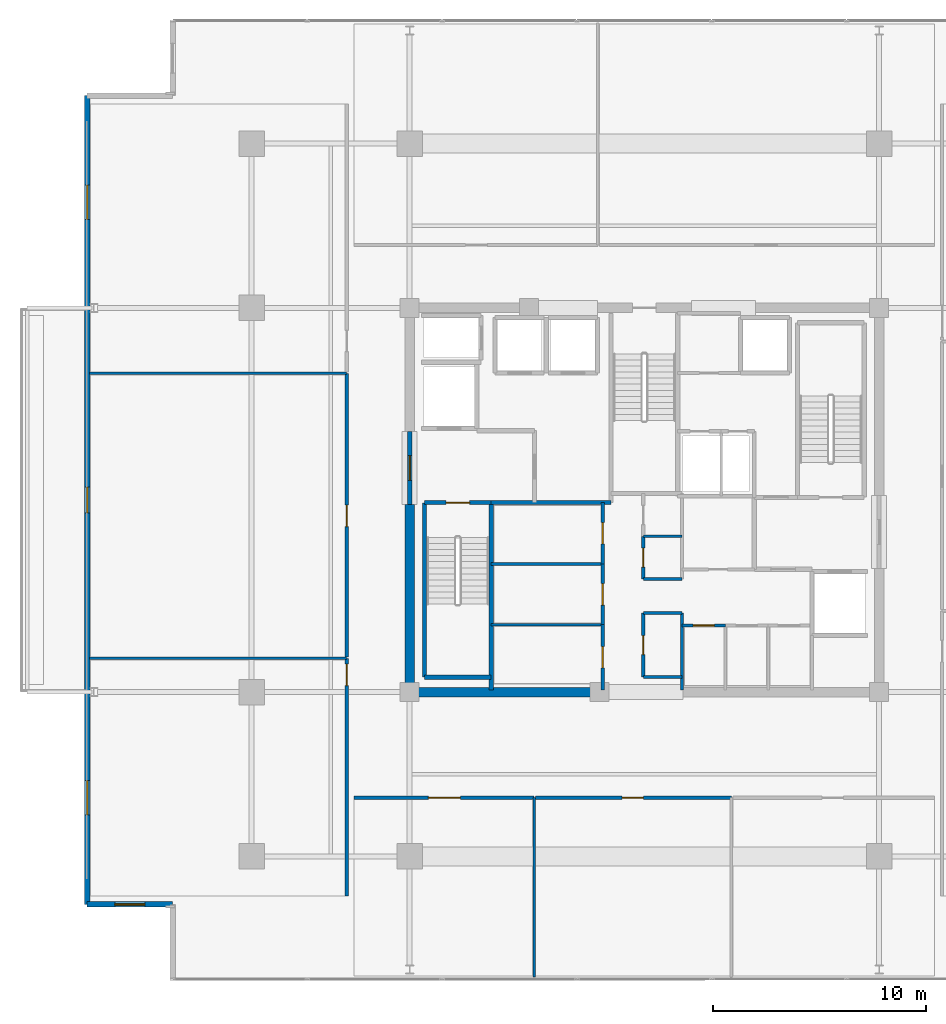
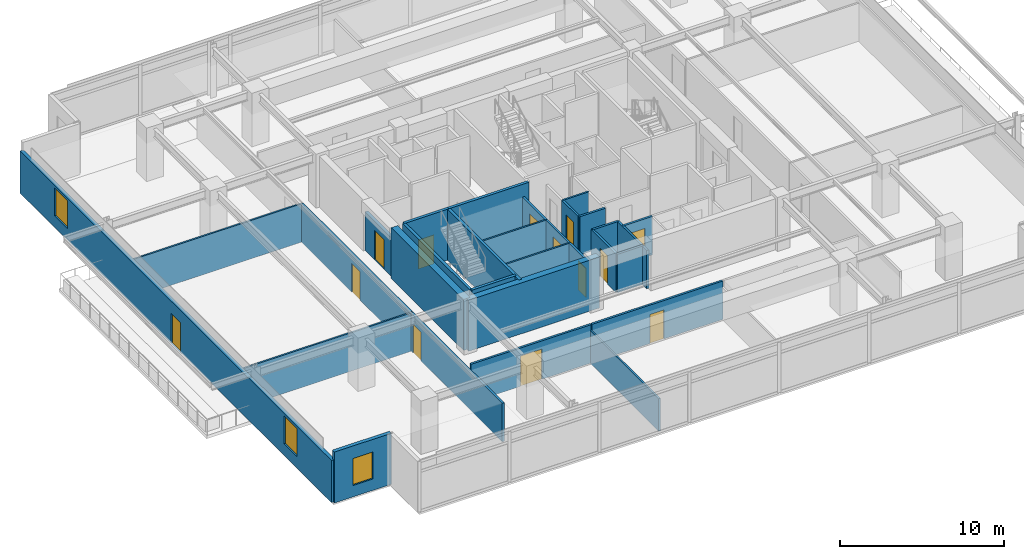
# One storey, part 17 of 24: 30 walls, 13 doors, 3 windows, 16 openings.
"""IFC4 building model written with IfcOpenShell, lengths in metres."""

from ifc_helpers import new_model, si_unit, direction, frame, frame_2d, origin, place, context, subcontext, project, spatial, rectangle, extrude, material, layer, layer_set, type_object, element, fill, save


model = new_model("IFC4")

# Units and contexts
model_context = context("Model", 3, precision=1e-05, world=origin(), true_north=direction((0.0, 1.0)))
body_context = subcontext(model_context, "Body", "Model", "MODEL_VIEW")
ifc_project = project(units=[si_unit("LENGTHUNIT", "METRE"), si_unit("AREAUNIT", "SQUARE_METRE"), si_unit("VOLUMEUNIT", "CUBIC_METRE"), si_unit("PLANEANGLEUNIT", "RADIAN"), si_unit("MASSUNIT", "GRAM", prefix="KILO")], contexts=[model_context])

# Site, building, storey
site_placement = place(None, origin())
site = spatial("IfcSite", under=ifc_project, at=site_placement, CompositionType="ELEMENT")
building_placement = place(site_placement, origin())
building = spatial("IfcBuilding", under=site, at=building_placement, Name="Kovane Verandah Tower", CompositionType="ELEMENT")
storey_placement = place(building_placement, frame((0.0, 0.0, 271.199951171875)))
storey = spatial("IfcBuildingStorey", under=building, at=storey_placement, Name="L63", CompositionType="ELEMENT", Elevation=271.199951171875)

# Walls
ifc_material_1 = material(Name="Fire-Rated Gypsum Stud Partition", Category="gypsum")
ifc_layer_1 = layer(ifc_material_1, 0.14990234375)
ifc_layer_set_1 = layer_set([ifc_layer_1], Name="Fire-Rated Gypsum Stud Partition")
wall_type_1 = type_object("IfcWallType", Name="WL-COR-150", PredefinedType="PARTITIONING", material=ifc_layer_set_1)
for number, where, z_axis, x_axis, name in (
    (1, (39.949951171875, 19.199951171875, 0.0), (0.0, 0.0, 1.0), (1.0, 0.0, 0.0), "L63 Central Core Strip South Wall"),
    (2, (39.949951171875, 22.199951171875, 0.0), (0.0, 0.0, 1.0), (1.0, 0.0, 0.0), "L63 Core Cross-Passage South Wall"),
    (3, (39.949951171875, 23.800048828125, 0.0), (0.0, 0.0, 1.0), (1.0, 0.0, 0.0), "L63 Core Cross-Passage North Wall"),
):
    element("IfcWall", number, at=place(storey_placement, frame(where, z_axis=z_axis, x_axis=x_axis)), inside=storey, type_object=wall_type_1, Name=name, PredefinedType="PARTITIONING", context=body_context, shape_type="SweptSolid", body=[
        extrude(rectangle(XDim=1.81005859375, YDim=0.14990234375, at=frame_2d((0.905029296875, 0.0))), origin(), (0.0, 0.0, 1.0), 2.85009765625),
    ])
wall_1_placement = place(storey_placement, frame((41.760009765625, 18.60009765625, 0.0), z_axis=(0.0, 0.0, 1.0), x_axis=(0.0, 1.0, 0.0)))
element("IfcWall", 4, at=wall_1_placement, inside=storey, type_object=wall_type_1, Name="L63 Central Core Strip Lower East Wall", PredefinedType="PARTITIONING", context=body_context, shape_type="SweptSolid", body=[
    extrude(rectangle(XDim=3.599853515625, YDim=0.14990234375, at=frame_2d((1.7998046875, 0.0))), origin(), (0.0, 0.0, 1.0), 2.85009765625),
])

# Wall, opening, door
wall_2_placement = place(storey_placement, frame((39.949951171875, 19.199951171875, 0.0), z_axis=(0.0, 0.0, 1.0), x_axis=(0.0, 1.0, 0.0)))
wall_2 = element("IfcWall", 5, at=wall_2_placement, inside=storey, type_object=wall_type_1, Name="L63 Male Toilet Partition", PredefinedType="PARTITIONING", context=body_context, shape_type="SweptSolid", body=[
    extrude(rectangle(XDim=3.0, YDim=0.14990234375, at=frame_2d((1.5, 0.0))), origin(), (0.0, 0.0, 1.0), 2.85009765625),
])
opening_1_placement = place(wall_2_placement, frame((1.050048828125, 0.0, 0.0)))
opening_1 = element("IfcOpeningElement", 6, at=opening_1_placement, cuts=wall_2, Name="Opening DR-L63-031", PredefinedType="OPENING", context=body_context, shape_type="SweptSolid", body=[
    extrude(rectangle(XDim=0.89990234375, YDim=2.10009765625, at=frame_2d((0.449951171875, 1.050048828125))), frame((0.0, 0.074951171875, 0.0), z_axis=(0.0, -1.0, 0.0), x_axis=(1.0, 0.0, 0.0)), (0.0, 0.0, 1.0), 0.14990234375),
])
ifc_material_2 = material(Name="Moisture-Resistant Laminate Washroom Door", Category="wood")
door_type_1 = type_object("IfcDoorType", Name="DR-WC-900", OperationType="SINGLE_SWING_LEFT", PredefinedType="DOOR", material=ifc_material_2)
door_1_placement = place(opening_1_placement, origin())
door_1 = element("IfcDoor", 7, at=door_1_placement, inside=storey, type_object=door_type_1, Name="L63 Male Toilet Door", OperationType="SINGLE_SWING_LEFT", OverallHeight=2.10009765625, OverallWidth=0.89990234375, PredefinedType="DOOR", context=body_context, shape_type="SweptSolid", body=[
    extrude(rectangle(XDim=0.89990234375, YDim=2.10009765625, at=frame_2d((0.449951171875, 1.050048828125))), frame((0.0, 0.02490234375, 0.0), z_axis=(0.0, -1.0, 0.0), x_axis=(1.0, 0.0, 0.0)), (0.0, 0.0, 1.0), 0.050048828125),
])
fill(opening_1, door_1)

wall_3_placement = place(storey_placement, frame((39.949951171875, 23.800048828125, 0.0), z_axis=(0.0, 0.0, 1.0), x_axis=(0.0, 1.0, 0.0)))
wall_3 = element("IfcWall", 8, at=wall_3_placement, inside=storey, type_object=wall_type_1, Name="L63 Female Toilet Partition", PredefinedType="PARTITIONING", context=body_context, shape_type="SweptSolid", body=[
    extrude(rectangle(XDim=2.0, YDim=0.14990234375, at=frame_2d((1.0, 0.0))), origin(), (0.0, 0.0, 1.0), 2.85009765625),
])
opening_2_placement = place(wall_3_placement, frame((0.550048828125, 0.0, 0.0)))
opening_2 = element("IfcOpeningElement", 9, at=opening_2_placement, cuts=wall_3, Name="Opening DR-L63-030", PredefinedType="OPENING", context=body_context, shape_type="SweptSolid", body=[
    extrude(rectangle(XDim=0.89990234375, YDim=2.10009765625, at=frame_2d((0.449951171875, 1.050048828125))), frame((0.0, 0.074951171875, 0.0), z_axis=(0.0, -1.0, 0.0), x_axis=(1.0, 0.0, 0.0)), (0.0, 0.0, 1.0), 0.14990234375),
])
door_2_placement = place(opening_2_placement, origin())
door_2 = element("IfcDoor", 10, at=door_2_placement, inside=storey, type_object=door_type_1, Name="L63 Female Toilet Door", OperationType="SINGLE_SWING_RIGHT", OverallHeight=2.10009765625, OverallWidth=0.89990234375, PredefinedType="DOOR", context=body_context, shape_type="SweptSolid", body=[
    extrude(rectangle(XDim=0.89990234375, YDim=2.10009765625, at=frame_2d((0.449951171875, 1.050048828125))), frame((0.0, 0.02490234375, 0.0), z_axis=(0.0, -1.0, 0.0), x_axis=(1.0, 0.0, 0.0)), (0.0, 0.0, 1.0), 0.050048828125),
])
fill(opening_2, door_2)

wall_4_placement = place(storey_placement, frame((38.050048828125, 18.60009765625, 0.0), z_axis=(0.0, 0.0, 1.0), x_axis=(0.0, 1.0, 0.0)))
wall_4 = element("IfcWall", 11, at=wall_4_placement, inside=storey, type_object=wall_type_1, Name="L63 Project Archive Room Partition", PredefinedType="PARTITIONING", context=body_context, shape_type="SweptSolid", body=[
    extrude(rectangle(XDim=3.059814453125, YDim=0.14990234375, at=frame_2d((1.52978515625, 0.0))), origin(), (0.0, 0.0, 1.0), 2.85009765625),
])
opening_3_placement = place(wall_4_placement, frame((1.030029296875, 0.0, 0.0)))
opening_3 = element("IfcOpeningElement", 12, at=opening_3_placement, cuts=wall_4, Name="Opening DR-L63-014", PredefinedType="OPENING", context=body_context, shape_type="SweptSolid", body=[
    extrude(rectangle(XDim=1.0, YDim=2.14990234375, at=frame_2d((0.5, 1.074951171875))), frame((0.0, 0.074951171875, 0.0), z_axis=(0.0, -1.0, 0.0), x_axis=(1.0, 0.0, 0.0)), (0.0, 0.0, 1.0), 0.14990234375),
])
ifc_material_3 = material(Name="FSC Spotted-Gum Timber Fire-Rated Office Door", Category="wood")
door_type_2 = type_object("IfcDoorType", Name="DR-OFF-1000", OperationType="SINGLE_SWING_LEFT", PredefinedType="DOOR", material=ifc_material_3)
door_3_placement = place(opening_3_placement, origin())
door_3 = element("IfcDoor", 13, at=door_3_placement, inside=storey, type_object=door_type_2, Name="L63 Project Archive Room Door", OperationType="SINGLE_SWING_RIGHT", OverallHeight=2.14990234375, OverallWidth=1.0, PredefinedType="DOOR", context=body_context, shape_type="SweptSolid", body=[
    extrude(rectangle(XDim=1.0, YDim=2.14990234375, at=frame_2d((0.5, 1.074951171875))), frame((0.0, 0.02490234375, 0.0), z_axis=(0.0, -1.0, 0.0), x_axis=(1.0, 0.0, 0.0)), (0.0, 0.0, 1.0), 0.050048828125),
])
fill(opening_3, door_3)

wall_5_placement = place(storey_placement, frame((38.050048828125, 21.659912109375, 0.0), z_axis=(0.0, 0.0, 1.0), x_axis=(0.0, 1.0, 0.0)))
wall_5 = element("IfcWall", 14, at=wall_5_placement, inside=storey, type_object=wall_type_1, Name="L63 First Aid and Wellness Room Partition", PredefinedType="PARTITIONING", context=body_context, shape_type="SweptSolid", body=[
    extrude(rectangle(XDim=2.840087890625, YDim=0.14990234375, at=frame_2d((1.419921875, 0.0))), origin(), (0.0, 0.0, 1.0), 2.85009765625),
])
opening_4_placement = place(wall_5_placement, frame((0.919921875, 0.0, 0.0)))
opening_4 = element("IfcOpeningElement", 15, at=opening_4_placement, cuts=wall_5, Name="Opening DR-L63-015", PredefinedType="OPENING", context=body_context, shape_type="SweptSolid", body=[
    extrude(rectangle(XDim=1.0, YDim=2.14990234375, at=frame_2d((0.5, 1.074951171875))), frame((0.0, 0.074951171875, 0.0), z_axis=(0.0, -1.0, 0.0), x_axis=(1.0, 0.0, 0.0)), (0.0, 0.0, 1.0), 0.14990234375),
])
door_4_placement = place(opening_4_placement, origin())
door_4 = element("IfcDoor", 16, at=door_4_placement, inside=storey, type_object=door_type_2, Name="L63 First Aid and Wellness Room Door", OperationType="SINGLE_SWING_LEFT", OverallHeight=2.14990234375, OverallWidth=1.0, PredefinedType="DOOR", context=body_context, shape_type="SweptSolid", body=[
    extrude(rectangle(XDim=1.0, YDim=2.14990234375, at=frame_2d((0.5, 1.074951171875))), frame((0.0, 0.02490234375, 0.0), z_axis=(0.0, -1.0, 0.0), x_axis=(1.0, 0.0, 0.0)), (0.0, 0.0, 1.0), 0.050048828125),
])
fill(opening_4, door_4)

wall_6_placement = place(storey_placement, frame((38.050048828125, 24.5, 0.0), z_axis=(0.0, 0.0, 1.0), x_axis=(0.0, 1.0, 0.0)))
wall_6 = element("IfcWall", 17, at=wall_6_placement, inside=storey, type_object=wall_type_1, Name="L63 Tea and Copy Hub Partition", PredefinedType="PARTITIONING", context=body_context, shape_type="SweptSolid", body=[
    extrude(rectangle(XDim=2.8798828125, YDim=0.14990234375, at=frame_2d((1.43994140625, 0.0))), origin(), (0.0, 0.0, 1.0), 2.85009765625),
])
opening_5_placement = place(wall_6_placement, frame((0.93994140625, 0.0, 0.0)))
opening_5 = element("IfcOpeningElement", 18, at=opening_5_placement, cuts=wall_6, Name="Opening DR-L63-016", PredefinedType="OPENING", context=body_context, shape_type="SweptSolid", body=[
    extrude(rectangle(XDim=1.0, YDim=2.14990234375, at=frame_2d((0.5, 1.074951171875))), frame((0.0, 0.074951171875, 0.0), z_axis=(0.0, -1.0, 0.0), x_axis=(1.0, 0.0, 0.0)), (0.0, 0.0, 1.0), 0.14990234375),
])
door_5_placement = place(opening_5_placement, origin())
door_5 = element("IfcDoor", 19, at=door_5_placement, inside=storey, type_object=door_type_2, Name="L63 Tea and Copy Hub Door", OperationType="SINGLE_SWING_RIGHT", OverallHeight=2.14990234375, OverallWidth=1.0, PredefinedType="DOOR", context=body_context, shape_type="SweptSolid", body=[
    extrude(rectangle(XDim=1.0, YDim=2.14990234375, at=frame_2d((0.5, 1.074951171875))), frame((0.0, 0.02490234375, 0.0), z_axis=(0.0, -1.0, 0.0), x_axis=(1.0, 0.0, 0.0)), (0.0, 0.0, 1.0), 0.050048828125),
])
fill(opening_5, door_5)

wall_7_placement = place(storey_placement, frame((41.760009765625, 21.6201171875, 0.0), z_axis=(0.0, 0.0, 1.0), x_axis=(1.0, 0.0, 0.0)))
wall_7 = element("IfcWall", 20, at=wall_7_placement, inside=storey, type_object=wall_type_1, Name="L63 Mail and Copy Room Partition", PredefinedType="PARTITIONING", context=body_context, shape_type="SweptSolid", body=[
    extrude(rectangle(XDim=2.0400390625, YDim=0.14990234375, at=frame_2d((1.02001953125, 0.0))), origin(), (0.0, 0.0, 1.0), 2.85009765625),
])
opening_6_placement = place(wall_7_placement, frame((0.52001953125, 0.0, 0.0)))
opening_6 = element("IfcOpeningElement", 21, at=opening_6_placement, cuts=wall_7, Name="Opening DR-L63-017", PredefinedType="OPENING", context=body_context, shape_type="SweptSolid", body=[
    extrude(rectangle(XDim=1.0, YDim=2.14990234375, at=frame_2d((0.5, 1.074951171875))), frame((0.0, 0.074951171875, 0.0), z_axis=(0.0, -1.0, 0.0), x_axis=(1.0, 0.0, 0.0)), (0.0, 0.0, 1.0), 0.14990234375),
])
door_6_placement = place(opening_6_placement, origin())
door_6 = element("IfcDoor", 22, at=door_6_placement, inside=storey, type_object=door_type_2, Name="L63 Mail and Copy Room Door", OperationType="SINGLE_SWING_LEFT", OverallHeight=2.14990234375, OverallWidth=1.0, PredefinedType="DOOR", context=body_context, shape_type="SweptSolid", body=[
    extrude(rectangle(XDim=1.0, YDim=2.14990234375, at=frame_2d((0.5, 1.074951171875))), frame((0.0, 0.02490234375, 0.0), z_axis=(0.0, -1.0, 0.0), x_axis=(1.0, 0.0, 0.0)), (0.0, 0.0, 1.0), 0.050048828125),
])
fill(opening_6, door_6)

wall_8_placement = place(storey_placement, frame((26.39990234375, 13.550048828125, 0.0), z_axis=(0.0, 0.0, 1.0), x_axis=(1.0, 0.0, 0.0)))
wall_8 = element("IfcWall", 23, at=wall_8_placement, inside=storey, type_object=wall_type_1, Name="L63 Client Boardroom S1 Corridor Partition", PredefinedType="PARTITIONING", context=body_context, shape_type="SweptSolid", body=[
    extrude(rectangle(XDim=8.43212890625, YDim=0.14990234375, at=frame_2d((4.216064453125, 0.0))), origin(), (0.0, 0.0, 1.0), 2.85009765625),
])
opening_7_placement = place(wall_8_placement, frame((3.48095703125, 0.0, 0.0)))
opening_7 = element("IfcOpeningElement", 24, at=opening_7_placement, cuts=wall_8, Name="Opening DR-L63-026", PredefinedType="OPENING", context=body_context, shape_type="SweptSolid", body=[
    extrude(rectangle(XDim=1.5, YDim=2.25, at=frame_2d((0.75, 1.125))), frame((0.0, 0.074951171875, 0.0), z_axis=(0.0, -1.0, 0.0), x_axis=(1.0, 0.0, 0.0)), (0.0, 0.0, 1.0), 0.14990234375),
])
ifc_material_4 = material(Name="Glazed Timber Fire-Rated Double Door", Category="wood")
door_type_3 = type_object("IfcDoorType", Name="DR-CONF-1500", OperationType="DOUBLE_DOOR_SINGLE_SWING", PredefinedType="DOOR", material=ifc_material_4)
door_7_placement = place(opening_7_placement, origin())
door_7 = element("IfcDoor", 25, at=door_7_placement, inside=storey, type_object=door_type_3, Name="L63 Client Boardroom S1 Entrance Door", OperationType="DOUBLE_DOOR_SINGLE_SWING", OverallHeight=2.25, OverallWidth=1.5, PredefinedType="DOOR", context=body_context, shape_type="SweptSolid", body=[
    extrude(rectangle(XDim=1.5, YDim=2.25, at=frame_2d((0.75, 1.125))), frame((0.0, 0.02490234375, 0.0), z_axis=(0.0, -1.0, 0.0), x_axis=(1.0, 0.0, 0.0)), (0.0, 0.0, 1.0), 0.050048828125),
])
fill(opening_7, door_7)

wall_9_placement = place(storey_placement, frame((34.902099609375, 13.550048828125, 0.0), z_axis=(0.0, 0.0, 1.0), x_axis=(1.0, 0.0, 0.0)))
wall_9 = element("IfcWall", 26, at=wall_9_placement, inside=storey, type_object=wall_type_1, Name="L63 Meeting Room S2 Corridor Partition", PredefinedType="PARTITIONING", context=body_context, shape_type="SweptSolid", body=[
    extrude(rectangle(XDim=9.177978515625, YDim=0.14990234375, at=frame_2d((4.5888671875, 0.0))), origin(), (0.0, 0.0, 1.0), 2.85009765625),
])
opening_8_placement = place(wall_9_placement, frame((4.053955078125, 0.0, 0.0)))
opening_8 = element("IfcOpeningElement", 27, at=opening_8_placement, cuts=wall_9, Name="Opening DR-L63-027", PredefinedType="OPENING", context=body_context, shape_type="SweptSolid", body=[
    extrude(rectangle(XDim=1.0, YDim=2.14990234375, at=frame_2d((0.5, 1.074951171875))), frame((0.0, 0.074951171875, 0.0), z_axis=(0.0, -1.0, 0.0), x_axis=(1.0, 0.0, 0.0)), (0.0, 0.0, 1.0), 0.14990234375),
])
door_8_placement = place(opening_8_placement, origin())
door_8 = element("IfcDoor", 28, at=door_8_placement, inside=storey, type_object=door_type_2, Name="L63 Meeting Room S2 Entrance Door", OperationType="SINGLE_SWING_LEFT", OverallHeight=2.14990234375, OverallWidth=1.0, PredefinedType="DOOR", context=body_context, shape_type="SweptSolid", body=[
    extrude(rectangle(XDim=1.0, YDim=2.14990234375, at=frame_2d((0.5, 1.074951171875))), frame((0.0, 0.02490234375, 0.0), z_axis=(0.0, -1.0, 0.0), x_axis=(1.0, 0.0, 0.0)), (0.0, 0.0, 1.0), 0.050048828125),
])
fill(opening_8, door_8)

wall_10_placement = place(storey_placement, frame((26.050048828125, 8.950439453125, 0.0), z_axis=(0.0, 0.0, 1.0), x_axis=(0.0, 1.0, 0.0)))
wall_10 = element("IfcWall", 29, at=wall_10_placement, inside=storey, type_object=wall_type_1, Name="L63 Breakout Pantry W1 Corridor Partition", PredefinedType="PARTITIONING", context=body_context, shape_type="SweptSolid", body=[
    extrude(rectangle(XDim=11.129638671875, YDim=0.14990234375, at=frame_2d((5.56494140625, 0.0))), origin(), (0.0, 0.0, 1.0), 2.85009765625),
])
opening_9_placement = place(wall_10_placement, frame((9.854736328125, 0.0, 0.0)))
opening_9 = element("IfcOpeningElement", 30, at=opening_9_placement, cuts=wall_10, Name="Opening DR-L63-032", PredefinedType="OPENING", context=body_context, shape_type="SweptSolid", body=[
    extrude(rectangle(XDim=1.0, YDim=2.14990234375, at=frame_2d((0.5, 1.074951171875))), frame((0.0, 0.074951171875, 0.0), z_axis=(0.0, -1.0, 0.0), x_axis=(1.0, 0.0, 0.0)), (0.0, 0.0, 1.0), 0.14990234375),
])
door_9_placement = place(opening_9_placement, origin())
door_9 = element("IfcDoor", 31, at=door_9_placement, inside=storey, type_object=door_type_2, Name="L63 Breakout Pantry W1 Entrance Door", OperationType="SINGLE_SWING_LEFT", OverallHeight=2.14990234375, OverallWidth=1.0, PredefinedType="DOOR", context=body_context, shape_type="SweptSolid", body=[
    extrude(rectangle(XDim=1.0, YDim=2.14990234375, at=frame_2d((0.5, 1.074951171875))), frame((0.0, 0.02490234375, 0.0), z_axis=(0.0, -1.0, 0.0), x_axis=(1.0, 0.0, 0.0)), (0.0, 0.0, 1.0), 0.050048828125),
])
fill(opening_9, door_9)

wall_11_placement = place(storey_placement, frame((26.050048828125, 20.150146484375, 0.0), z_axis=(0.0, 0.0, 1.0), x_axis=(0.0, 1.0, 0.0)))
wall_11 = element("IfcWall", 32, at=wall_11_placement, inside=storey, type_object=wall_type_1, Name="L63 Collaboration Hub W2 Corridor Partition", PredefinedType="PARTITIONING", context=body_context, shape_type="SweptSolid", body=[
    extrude(rectangle(XDim=13.28564453125, YDim=0.14990234375, at=frame_2d((6.642822265625, 0.0))), origin(), (0.0, 0.0, 1.0), 2.85009765625),
])
opening_10_placement = place(wall_11_placement, frame((6.10791015625, 0.0, 0.0)))
opening_10 = element("IfcOpeningElement", 33, at=opening_10_placement, cuts=wall_11, Name="Opening DR-L63-033", PredefinedType="OPENING", context=body_context, shape_type="SweptSolid", body=[
    extrude(rectangle(XDim=1.0, YDim=2.14990234375, at=frame_2d((0.5, 1.074951171875))), frame((0.0, 0.074951171875, 0.0), z_axis=(0.0, -1.0, 0.0), x_axis=(1.0, 0.0, 0.0)), (0.0, 0.0, 1.0), 0.14990234375),
])
door_10_placement = place(opening_10_placement, origin())
door_10 = element("IfcDoor", 34, at=door_10_placement, inside=storey, type_object=door_type_2, Name="L63 Collaboration Hub W2 Entrance Door", OperationType="SINGLE_SWING_RIGHT", OverallHeight=2.14990234375, OverallWidth=1.0, PredefinedType="DOOR", context=body_context, shape_type="SweptSolid", body=[
    extrude(rectangle(XDim=1.0, YDim=2.14990234375, at=frame_2d((0.5, 1.074951171875))), frame((0.0, 0.02490234375, 0.0), z_axis=(0.0, -1.0, 0.0), x_axis=(1.0, 0.0, 0.0)), (0.0, 0.0, 1.0), 0.050048828125),
])
fill(opening_10, door_10)

# Walls
ifc_material_5 = material(Name="Concrete C60/75", Category="concrete")
ifc_layer_2 = layer(ifc_material_5, 0.449951171875)
ifc_layer_set_2 = layer_set([ifc_layer_2], Name="Concrete C60/75")
wall_type_2 = type_object("IfcWallType", Name="WL-CORE-450", PredefinedType="SHEAR", material=ifc_layer_set_2)
wall_12_placement = place(storey_placement, frame((29.0, 18.5, 0.0), z_axis=(0.0, 0.0, 1.0), x_axis=(1.0, 0.0, 0.0)))
element("IfcWall", 35, at=wall_12_placement, inside=storey, type_object=wall_type_2, Name="L63 Core Shear Wall CS-1", PredefinedType="SHEAR", context=body_context, shape_type="SweptSolid", body=[
    extrude(rectangle(XDim=9.199951171875, YDim=0.449951171875, at=frame_2d((4.60009765625, 0.0))), origin(), (0.0, 0.0, 1.0), 3.78515625),
])
wall_13_placement = place(storey_placement, frame((29.0, 18.5, 0.0), z_axis=(0.0, 0.0, 1.0), x_axis=(0.0, 1.0, 0.0)))
element("IfcWall", 36, at=wall_13_placement, inside=storey, type_object=wall_type_2, Name="L63 Core Shear Wall CW-1", PredefinedType="SHEAR", context=body_context, shape_type="SweptSolid", body=[
    extrude(rectangle(XDim=8.800048828125, YDim=0.449951171875, at=frame_2d((4.39990234375, 0.0))), origin(), (0.0, 0.0, 1.0), 3.78515625),
])

# Wall, opening, door
ifc_material_6 = material(Name="Concrete C45/55 Fire Wall", Category="concrete")
ifc_layer_3 = layer(ifc_material_6, 0.199951171875)
ifc_layer_set_3 = layer_set([ifc_layer_3], Name="Concrete C45/55 Fire Wall")
wall_type_3 = type_object("IfcWallType", Name="WL-FFL-200", PredefinedType="PARTITIONING", material=ifc_layer_set_3)
wall_14_placement = place(storey_placement, frame((29.0, 27.300048828125, 0.0), z_axis=(0.0, 0.0, 1.0), x_axis=(0.0, 1.0, 0.0)))
wall_14 = element("IfcWall", 37, at=wall_14_placement, inside=storey, type_object=wall_type_3, Name="W-L63-FFLW-OUT", PredefinedType="PARTITIONING", context=body_context, shape_type="SweptSolid", body=[
    extrude(rectangle(XDim=3.39990234375, YDim=0.199951171875, at=frame_2d((1.699951171875, 0.0))), origin(), (0.0, 0.0, 1.0), 2.864990234375),
])
opening_11_placement = place(wall_14_placement, frame((1.125, 0.0, 0.0)))
opening_11 = element("IfcOpeningElement", 38, at=opening_11_placement, cuts=wall_14, Name="Opening DR-L63-007", PredefinedType="OPENING", context=body_context, shape_type="SweptSolid", body=[
    extrude(rectangle(XDim=1.14990234375, YDim=2.199951171875, at=frame_2d((0.574951171875, 1.10009765625))), frame((0.0, 0.10009765625, 0.0), z_axis=(0.0, -1.0, 0.0), x_axis=(1.0, 0.0, 0.0)), (0.0, 0.0, 1.0), 0.199951171875),
])
ifc_material_7 = material(Name="Smoke-Sealed Firefighting Lobby Door", Category="steel")
door_type_4 = type_object("IfcDoorType", Name="DR-FFL-1150", OperationType="SINGLE_SWING_LEFT", PredefinedType="DOOR", material=ifc_material_7)
door_11_placement = place(opening_11_placement, origin())
door_11 = element("IfcDoor", 39, at=door_11_placement, inside=storey, type_object=door_type_4, Name="L63 West Firefighting Lobby Corridor Door", OperationType="SINGLE_SWING_RIGHT", OverallHeight=2.199951171875, OverallWidth=1.14990234375, PredefinedType="DOOR", context=body_context, shape_type="SweptSolid", body=[
    extrude(rectangle(XDim=1.14990234375, YDim=2.199951171875, at=frame_2d((0.574951171875, 1.10009765625))), frame((0.0, 0.02490234375, 0.0), z_axis=(0.0, -1.0, 0.0), x_axis=(1.0, 0.0, 0.0)), (0.0, 0.0, 1.0), 0.050048828125),
])
fill(opening_11, door_11)

# Walls
wall_15_placement = place(storey_placement, frame((32.820068359375, 27.3798828125, 0.0), z_axis=(0.0, 0.0, 1.0), x_axis=(1.0, 0.0, 0.0)))
element("IfcWall", 40, at=wall_15_placement, inside=storey, type_object=wall_type_3, Name="L63 West Firefighting Lobby South Fire Wall", PredefinedType="PARTITIONING", context=body_context, shape_type="SweptSolid", body=[
    extrude(rectangle(XDim=5.619873046875, YDim=0.199951171875, at=frame_2d((2.81005859375, 0.0))), origin(), (0.0, 0.0, 1.0), 3.78515625),
])
ifc_material_8 = material(Name="Acoustic Fire-Rated Gypsum Partition", Category="gypsum")
ifc_layer_4 = layer(ifc_material_8, 0.1201171875)
ifc_layer_set_4 = layer_set([ifc_layer_4], Name="Acoustic Fire-Rated Gypsum Partition")
wall_type_4 = type_object("IfcWallType", Name="WL-PART-120", PredefinedType="PARTITIONING", material=ifc_layer_set_4)
wall_16_placement = place(storey_placement, frame((39.949951171875, 25.800048828125, 0.0), z_axis=(0.0, 0.0, 1.0), x_axis=(1.0, 0.0, 0.0)))
element("IfcWall", 41, at=wall_16_placement, inside=storey, type_object=wall_type_4, Name="L63 Central Core Strip Upper Dividing Partition", PredefinedType="PARTITIONING", context=body_context, shape_type="SweptSolid", body=[
    extrude(rectangle(XDim=1.81005859375, YDim=0.1201171875, at=frame_2d((0.905029296875, 0.0))), origin(), (0.0, 0.0, 1.0), 2.85009765625),
])
for number, where, z_axis, x_axis, name in (
    (42, (32.820068359375, 21.659912109375, 0.0), (0.0, 0.0, 1.0), (1.0, 0.0, 0.0), "L63 Core Support Lower Dividing Partition"),
    (43, (32.820068359375, 24.5, 0.0), (0.0, 0.0, 1.0), (1.0, 0.0, 0.0), "L63 Core Support Upper Dividing Partition"),
):
    element("IfcWall", number, at=place(storey_placement, frame(where, z_axis=z_axis, x_axis=x_axis)), inside=storey, type_object=wall_type_4, Name=name, PredefinedType="PARTITIONING", context=body_context, shape_type="SweptSolid", body=[
        extrude(rectangle(XDim=5.22998046875, YDim=0.1201171875, at=frame_2d((2.614990234375, 0.0))), origin(), (0.0, 0.0, 1.0), 2.85009765625),
    ])
wall_17_placement = place(storey_placement, frame((34.83203125, 5.150390625, 0.0), z_axis=(0.0, 0.0, 1.0), x_axis=(0.0, 1.0, 0.0)))
element("IfcWall", 44, at=wall_17_placement, inside=storey, type_object=wall_type_4, Name="L63 Client Boardroom S1 Dividing Partition", PredefinedType="PARTITIONING", context=body_context, shape_type="SweptSolid", body=[
    extrude(rectangle(XDim=8.399658203125, YDim=0.1201171875, at=frame_2d((4.19970703125, 0.0))), origin(), (0.0, 0.0, 1.0), 2.4150390625),
])
for number, where, z_axis, x_axis, name in (
    (45, (13.992919921875, 20.080078125, 0.0), (0.0, 0.0, 1.0), (1.0, 0.0, 0.0), "L63 Breakout Pantry W1 Dividing Partition"),
    (46, (13.992919921875, 33.435791015625, 0.0), (0.0, 0.0, 1.0), (1.0, 0.0, 0.0), "L63 Collaboration Hub W2 Dividing Partition"),
):
    element("IfcWall", number, at=place(storey_placement, frame(where, z_axis=z_axis, x_axis=x_axis)), inside=storey, type_object=wall_type_4, Name=name, PredefinedType="PARTITIONING", context=body_context, shape_type="SweptSolid", body=[
        extrude(rectangle(XDim=12.05712890625, YDim=0.1201171875, at=frame_2d((6.028564453125, 0.0))), origin(), (0.0, 0.0, 1.0), 2.85009765625),
    ])
ifc_material_9 = material(Name="Concrete C45/55", Category="concrete")
ifc_layer_5 = layer(ifc_material_9, 0.199951171875)
ifc_layer_set_5 = layer_set([ifc_layer_5], Name="Concrete C45/55")
wall_type_5 = type_object("IfcWallType", Name="WL-SHAFT-200", PredefinedType="SOLIDWALL", material=ifc_layer_set_5)
wall_18_placement = place(storey_placement, frame((29.699951171875, 19.199951171875, 0.0), z_axis=(0.0, 0.0, 1.0), x_axis=(0.0, 1.0, 0.0)))
element("IfcWall", 47, at=wall_18_placement, inside=storey, type_object=wall_type_5, Name="W-L63-ST01-W", PredefinedType="SOLIDWALL", context=body_context, shape_type="SweptSolid", body=[
    extrude(rectangle(XDim=8.150146484375, YDim=0.199951171875, at=frame_2d((4.0751953125, 0.0))), origin(), (0.0, 0.0, 1.0), 3.78515625),
])
wall_19_placement = place(storey_placement, frame((29.699951171875, 19.199951171875, 0.0), z_axis=(0.0, 0.0, 1.0), x_axis=(1.0, 0.0, 0.0)))
element("IfcWall", 48, at=wall_19_placement, inside=storey, type_object=wall_type_5, Name="W-L63-ST01-S", PredefinedType="SOLIDWALL", context=body_context, shape_type="SweptSolid", body=[
    extrude(rectangle(XDim=3.1201171875, YDim=0.199951171875, at=frame_2d((1.56005859375, 0.0))), origin(), (0.0, 0.0, 1.0), 3.78515625),
])
wall_20_placement = place(storey_placement, frame((32.820068359375, 18.60009765625, 0.0), z_axis=(0.0, 0.0, 1.0), x_axis=(0.0, 1.0, 0.0)))
element("IfcWall", 49, at=wall_20_placement, inside=storey, type_object=wall_type_5, Name="W-L63-ST01-E", PredefinedType="SOLIDWALL", context=body_context, shape_type="SweptSolid", body=[
    extrude(rectangle(XDim=8.77978515625, YDim=0.199951171875, at=frame_2d((4.389892578125, 0.0))), origin(), (0.0, 0.0, 1.0), 3.78515625),
])

# Wall, opening, door
wall_21_placement = place(storey_placement, frame((29.699951171875, 27.3798828125, 0.0), z_axis=(0.0, 0.0, 1.0), x_axis=(1.0, 0.0, 0.0)))
wall_21 = element("IfcWall", 50, at=wall_21_placement, inside=storey, type_object=wall_type_5, Name="W-L63-ST01-N", PredefinedType="SOLIDWALL", context=body_context, shape_type="SweptSolid", body=[
    extrude(rectangle(XDim=3.1201171875, YDim=0.199951171875, at=frame_2d((1.56005859375, 0.0))), origin(), (0.0, 0.0, 1.0), 3.78515625),
])
opening_12_placement = place(wall_21_placement, frame((1.010009765625, 0.0, 0.0)))
opening_12 = element("IfcOpeningElement", 51, at=opening_12_placement, cuts=wall_21, Name="Opening DR-L63-008", PredefinedType="OPENING", context=body_context, shape_type="SweptSolid", body=[
    extrude(rectangle(XDim=1.10009765625, YDim=2.14990234375, at=frame_2d((0.550048828125, 1.074951171875))), frame((0.0, 0.10009765625, 0.0), z_axis=(0.0, -1.0, 0.0), x_axis=(1.0, 0.0, 0.0)), (0.0, 0.0, 1.0), 0.199951171875),
])
ifc_material_10 = material(Name="Fire-Rated Steel Exit Door", Category="steel")
door_type_5 = type_object("IfcDoorType", Name="DR-STAIR-1100", OperationType="SINGLE_SWING_LEFT", PredefinedType="DOOR", material=ifc_material_10)
door_12_placement = place(opening_12_placement, origin())
door_12 = element("IfcDoor", 52, at=door_12_placement, inside=storey, type_object=door_type_5, Name="L63 ST-01 Fire Exit Stair Door", OperationType="SINGLE_SWING_RIGHT", OverallHeight=2.14990234375, OverallWidth=1.10009765625, PredefinedType="DOOR", context=body_context, shape_type="SweptSolid", body=[
    extrude(rectangle(XDim=1.10009765625, YDim=2.14990234375, at=frame_2d((0.550048828125, 1.074951171875))), frame((0.0, 0.02490234375, 0.0), z_axis=(0.0, -1.0, 0.0), x_axis=(1.0, 0.0, 0.0)), (0.0, 0.0, 1.0), 0.050048828125),
])
fill(opening_12, door_12)

# Wall, openings, door, windows
ifc_material_11 = material(Name="Concrete C45/55 Insulated Spandrel Wall", Category="concrete")
ifc_layer_6 = layer(ifc_material_11, 0.260009765625)
ifc_layer_set_6 = layer_set([ifc_layer_6], Name="Concrete C45/55 Insulated Spandrel Wall")
wall_type_6 = type_object("IfcWallType", Name="WL-SPANDREL-260", PredefinedType="PARAPET", material=ifc_layer_set_6)
wall_22_placement = place(storey_placement, frame((13.892822265625, 46.44970703125, 0.0), z_axis=(0.0, 0.0, 1.0), x_axis=(0.0, -1.0, 0.0)))
wall_22 = element("IfcWall", 53, at=wall_22_placement, inside=storey, type_object=wall_type_6, Name="L63 W Verandah Access Facade Wall", PredefinedType="PARAPET", context=body_context, shape_type="SweptSolid", body=[
    extrude(rectangle(XDim=37.8994140625, YDim=0.260009765625, at=frame_2d((18.94970703125, 0.0))), origin(), (0.0, 0.0, 1.0), 3.122802734375),
])
opening_13_placement = place(wall_22_placement, frame((4.199951171875, 0.0, 0.85009765625)))
opening_13 = element("IfcOpeningElement", 54, at=opening_13_placement, cuts=wall_22, Name="Opening W-02", PredefinedType="OPENING", context=body_context, shape_type="SweptSolid", body=[
    extrude(rectangle(XDim=1.60009765625, YDim=2.10009765625, at=frame_2d((0.800048828125, 1.050048828125))), frame((0.0, 0.1298828125, 0.0), z_axis=(0.0, -1.0, 0.0), x_axis=(1.0, 0.0, 0.0)), (0.0, 0.0, 1.0), 0.260009765625),
])
opening_14_placement = place(wall_22_placement, frame((18.349609375, 0.0, 0.0)))
opening_14 = element("IfcOpeningElement", 55, at=opening_14_placement, cuts=wall_22, Name="Opening DR-L63-002", PredefinedType="OPENING", context=body_context, shape_type="SweptSolid", body=[
    extrude(rectangle(XDim=1.199951171875, YDim=2.199951171875, at=frame_2d((0.60009765625, 1.10009765625))), frame((0.0, 0.1298828125, 0.0), z_axis=(0.0, -1.0, 0.0), x_axis=(1.0, 0.0, 0.0)), (0.0, 0.0, 1.0), 0.260009765625),
])
opening_15_placement = place(wall_22_placement, frame((32.09912109375, 0.0, 0.85009765625)))
opening_15 = element("IfcOpeningElement", 56, at=opening_15_placement, cuts=wall_22, Name="Opening W-02", PredefinedType="OPENING", context=body_context, shape_type="SweptSolid", body=[
    extrude(rectangle(XDim=1.60009765625, YDim=2.10009765625, at=frame_2d((0.800048828125, 1.050048828125))), frame((0.0, 0.1298828125, 0.0), z_axis=(0.0, -1.0, 0.0), x_axis=(1.0, 0.0, 0.0)), (0.0, 0.0, 1.0), 0.260009765625),
])
ifc_material_12 = material(Name="Cyclone-Rated Glazed Balcony Leaf Door", Category="aluminium")
door_type_6 = type_object("IfcDoorType", Name="DR-BAL-1200x2200", OperationType="SINGLE_SWING_LEFT", PredefinedType="DOOR", material=ifc_material_12)
door_13_placement = place(opening_14_placement, origin())
door_13 = element("IfcDoor", 57, at=door_13_placement, inside=storey, type_object=door_type_6, Name="L63 W Planted Balcony Access Door", OperationType="SINGLE_SWING_LEFT", OverallHeight=2.199951171875, OverallWidth=1.199951171875, PredefinedType="DOOR", context=body_context, shape_type="SweptSolid", body=[
    extrude(rectangle(XDim=1.199951171875, YDim=2.199951171875, at=frame_2d((0.60009765625, 1.10009765625))), frame((0.0, 0.02490234375, 0.0), z_axis=(0.0, -1.0, 0.0), x_axis=(1.0, 0.0, 0.0)), (0.0, 0.0, 1.0), 0.050048828125),
])
fill(opening_14, door_13)
ifc_material_13 = material(Name="Clear Low-E Laminated Double Glazing in Anodised Frame", Category="glass")
window_type_1 = type_object("IfcWindowType", Name="WN-OPER-1600x2100", PartitioningType="SINGLE_PANEL", PredefinedType="WINDOW", material=ifc_material_13)
window_1_placement = place(opening_13_placement, origin())
window_1 = element("IfcWindow", 58, at=window_1_placement, inside=storey, type_object=window_type_1, Name="L63 W Verandah View Window 1", OverallHeight=2.10009765625, OverallWidth=1.60009765625, PartitioningType="SINGLE_PANEL", PredefinedType="WINDOW", context=body_context, shape_type="SweptSolid", body=[
    extrude(rectangle(XDim=1.60009765625, YDim=2.10009765625, at=frame_2d((0.800048828125, 1.050048828125))), frame((0.0, 0.030029296875, 0.0), z_axis=(0.0, -1.0, 0.0), x_axis=(1.0, 0.0, 0.0)), (0.0, 0.0, 1.0), 0.06005859375),
])
fill(opening_13, window_1)
window_2_placement = place(opening_15_placement, origin())
window_2 = element("IfcWindow", 59, at=window_2_placement, inside=storey, type_object=window_type_1, Name="L63 W Verandah View Window 2", OverallHeight=2.10009765625, OverallWidth=1.60009765625, PartitioningType="SINGLE_PANEL", PredefinedType="WINDOW", context=body_context, shape_type="SweptSolid", body=[
    extrude(rectangle(XDim=1.60009765625, YDim=2.10009765625, at=frame_2d((0.800048828125, 1.050048828125))), frame((0.0, 0.030029296875, 0.0), z_axis=(0.0, -1.0, 0.0), x_axis=(1.0, 0.0, 0.0)), (0.0, 0.0, 1.0), 0.06005859375),
])
fill(opening_15, window_2)

# Wall, opening, window
wall_23_placement = place(storey_placement, frame((13.892822265625, 8.55029296875, 0.0), z_axis=(0.0, 0.0, 1.0), x_axis=(1.0, 0.0, 0.0)))
wall_23 = element("IfcWall", 60, at=wall_23_placement, inside=storey, type_object=wall_type_6, Name="L63 SW Notch Cheek Wall 1", PredefinedType="PARAPET", context=body_context, shape_type="SweptSolid", body=[
    extrude(rectangle(XDim=4.0, YDim=0.260009765625, at=frame_2d((2.0, 0.0))), origin(), (0.0, 0.0, 1.0), 3.78515625),
])
opening_16_placement = place(wall_23_placement, frame((1.300048828125, 0.0, 0.85009765625)))
opening_16 = element("IfcOpeningElement", 61, at=opening_16_placement, cuts=wall_23, Name="Opening W-01", PredefinedType="OPENING", context=body_context, shape_type="SweptSolid", body=[
    extrude(rectangle(XDim=1.39990234375, YDim=2.0, at=frame_2d((0.699951171875, 1.0))), frame((0.0, 0.1298828125, 0.0), z_axis=(0.0, -1.0, 0.0), x_axis=(1.0, 0.0, 0.0)), (0.0, 0.0, 1.0), 0.260009765625),
])
window_type_2 = type_object("IfcWindowType", Name="WN-OPER-1400x2000", PartitioningType="SINGLE_PANEL", PredefinedType="WINDOW", material=ifc_material_13)
window_3_placement = place(opening_16_placement, origin())
window_3 = element("IfcWindow", 62, at=window_3_placement, inside=storey, type_object=window_type_2, Name="L63 SW Re-Entrant Corner Operable Window", OverallHeight=2.0, OverallWidth=1.39990234375, PartitioningType="SINGLE_PANEL", PredefinedType="WINDOW", context=body_context, shape_type="SweptSolid", body=[
    extrude(rectangle(XDim=1.39990234375, YDim=2.0, at=frame_2d((0.699951171875, 1.0))), frame((0.0, 0.030029296875, 0.0), z_axis=(0.0, -1.0, 0.0), x_axis=(1.0, 0.0, 0.0)), (0.0, 0.0, 1.0), 0.06005859375),
])
fill(opening_16, window_3)

save(model, "model.ifc")
